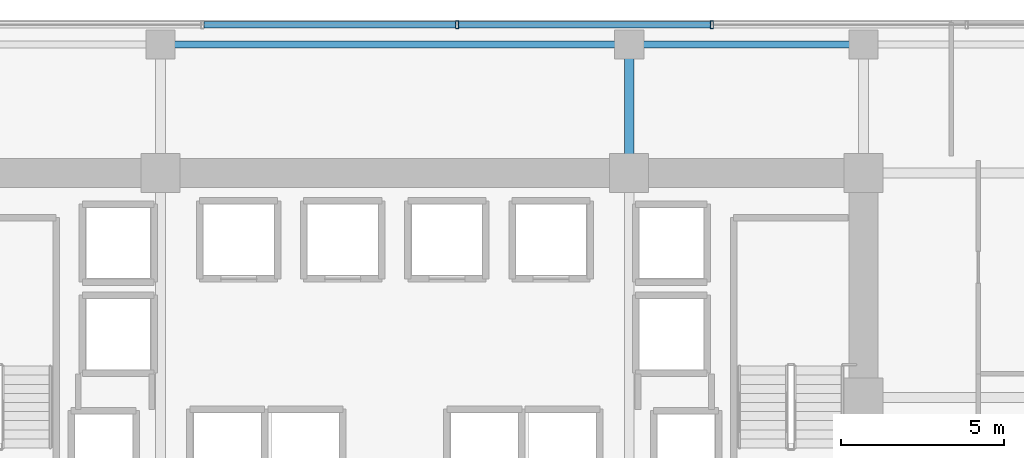
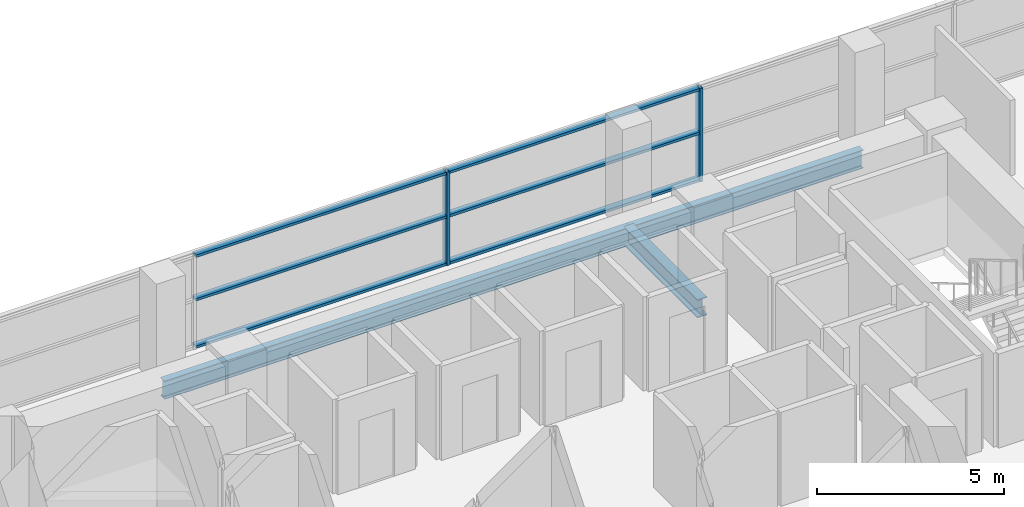
# One storey, part 19 of 30: 8 members, 3 beams, 1 element without a shape of its own.
"""IFC4 building model written with IfcOpenShell, lengths in metres."""

import ifcopenshell
import ifcopenshell.guid

model = None  # the IFC model being written
_history = None  # IfcOwnerHistory: only IFC2X3 demands one
_inside = {}  # id of a spatial element -> (the spatial element, [elements in it])
_under = {}  # id of a project, library or spatial element -> (it, [spatial elements below it])
_declared = {}  # id of a project -> (the project, [libraries it declares])
_typed = {}  # id of a type object -> (the type object, [elements of that type])
_made_of = {}  # id of a material, layer set ... -> (it, [elements and type objects made of it])


def new_model(schema):
    """Start an empty IFC model of exactly this schema.

    Asked for "IFC4X3", IfcOpenShell would pick the latest addendum, in which some entities
    have other attributes; the version numbers below select the first issue.
    IFC2X3 requires an IfcOwnerHistory on every rooted entity: one is made here for all.
    """
    global model, _history
    if schema == "IFC4X3":
        model = ifcopenshell.file(schema_version=(4, 3, 0, 0))
    else:
        model = ifcopenshell.file(schema=schema)
    _inside.clear()
    _under.clear()
    _declared.clear()
    _typed.clear()
    _made_of.clear()
    _history = None
    if model.schema == "IFC2X3":
        org = make("IfcOrganization", Name="unknown")
        user = make(
            "IfcPersonAndOrganization",
            ThePerson=make("IfcPerson", FamilyName="unknown"),
            TheOrganization=org,
        )
        app = make(
            "IfcApplication",
            ApplicationDeveloper=org,
            Version="unknown",
            ApplicationFullName="unknown",
            ApplicationIdentifier="unknown",
        )
        _history = make(
            "IfcOwnerHistory",
            OwningUser=user,
            OwningApplication=app,
            ChangeAction="ADDED",
            CreationDate=0,
        )
    return model


def make(cls, **values):
    """One entity of the class cls with the attributes given. An attribute that is None is left unset."""
    return model.create_entity(
        cls, **{name: value for name, value in values.items() if value is not None}
    )


def rooted(cls, **values):
    """An entity with a GlobalId (a new one), such as an element, a storey or a relation."""
    return make(cls, GlobalId=ifcopenshell.guid.new(), OwnerHistory=_history, **values)


def si_unit(unit_type, name, prefix=None):
    """IfcSIUnit, for example si_unit("LENGTHUNIT", "METRE", prefix="MILLI")."""
    return make("IfcSIUnit", UnitType=unit_type, Prefix=prefix, Name=name)


def assignment(units):
    """IfcUnitAssignment: the units of a project."""
    return None if units is None else make("IfcUnitAssignment", Units=units)


def point(xyz):
    """IfcCartesianPoint."""
    return None if xyz is None else make("IfcCartesianPoint", Coordinates=xyz)


def direction(xyz):
    """IfcDirection."""
    return None if xyz is None else make("IfcDirection", DirectionRatios=xyz)


def frame(location, z_axis=None, x_axis=None):
    """IfcAxis2Placement3D, a coordinate frame: its origin and axes. An axis left out is left unset."""
    return make(
        "IfcAxis2Placement3D",
        Location=point(location),
        Axis=direction(z_axis),
        RefDirection=direction(x_axis),
    )


def frame_2d(location, x_axis=None):
    """IfcAxis2Placement2D, a coordinate frame in the plane: its origin and x axis."""
    return make(
        "IfcAxis2Placement2D", Location=point(location), RefDirection=direction(x_axis)
    )


def origin():
    """The frame at (0, 0, 0) with its axes left unset."""
    return frame((0.0, 0.0, 0.0))


def origin_2d():
    """The frame at (0, 0) in the plane with its x axis left unset."""
    return frame_2d((0.0, 0.0))


def place(relative_to, where):
    """IfcLocalPlacement: puts the frame where relative to a parent placement (None: the world)."""
    return make(
        "IfcLocalPlacement", PlacementRelTo=relative_to, RelativePlacement=where
    )


def context(
    kind, dimensions, precision=None, world=None, true_north=None, identifier=None
):
    """IfcGeometricRepresentationContext, for example the 3D "Model" context."""
    return make(
        "IfcGeometricRepresentationContext",
        ContextIdentifier=identifier,
        ContextType=kind,
        CoordinateSpaceDimension=dimensions,
        Precision=precision,
        WorldCoordinateSystem=world,
        TrueNorth=true_north,
    )


def subcontext(parent, identifier, kind, view, scale=None):
    """IfcGeometricRepresentationSubContext, for example "Body" below "Model"."""
    return make(
        "IfcGeometricRepresentationSubContext",
        ContextIdentifier=identifier,
        ContextType=kind,
        ParentContext=parent,
        TargetScale=scale,
        TargetView=view,
    )


def project(units=None, contexts=None):
    """IfcProject with its units and contexts."""
    return rooted(
        "IfcProject",
        Name="project",
        RepresentationContexts=contexts,
        UnitsInContext=assignment(units),
    )


def spatial(cls, under=None, at=None, **own):
    """A site, building, storey or space (cls), placed at a placement, below another one or the project."""
    s = rooted(cls, ObjectPlacement=at, **own)
    if under is not None:
        _under.setdefault(under.id(), (under, []))[1].append(s)
    return s


def profile(cls, at=None, kind="AREA", **sizes):
    """A parametric profile (cls). Its sizes go by their IFC names, for example OverallWidth=200.0."""
    return make(cls, ProfileType=kind, Position=at, **sizes)


def hollow_rectangle(**sizes):
    """IfcRectangleHollowProfileDef."""
    return profile("IfcRectangleHollowProfileDef", **sizes)


def i_section(**sizes):
    """IfcIShapeProfileDef."""
    return profile("IfcIShapeProfileDef", **sizes)


def extrude(swept, where, along, depth):
    """IfcExtrudedAreaSolid: the profile swept, set in the frame where, extruded along a direction by depth."""
    return make(
        "IfcExtrudedAreaSolid",
        SweptArea=swept,
        Position=where,
        ExtrudedDirection=direction(along),
        Depth=depth,
    )


def shape(context_of_items, identifier, shape_type, items):
    """IfcShapeRepresentation: the items that make up one representation, for example the "Body"."""
    return make(
        "IfcShapeRepresentation",
        ContextOfItems=context_of_items,
        RepresentationIdentifier=identifier,
        RepresentationType=shape_type,
        Items=items,
    )


def source(mapping_origin, context_of_items, identifier, shape_type, items):
    """IfcRepresentationMap: a shape defined once, which mapped items show again and again."""
    return make(
        "IfcRepresentationMap",
        MappingOrigin=mapping_origin,
        MappedRepresentation=shape(context_of_items, identifier, shape_type, items),
    )


def transform(
    local_origin,
    x_axis=None,
    y_axis=None,
    z_axis=None,
    scale=None,
    scale2=None,
    scale3=None,
    uniform=True,
):
    """IfcCartesianTransformationOperator3D, or its non-uniform kind. x_axis, y_axis, z_axis: its Axis1, 2, 3."""
    if uniform:
        return make(
            "IfcCartesianTransformationOperator3D",
            Axis1=direction(x_axis),
            Axis2=direction(y_axis),
            LocalOrigin=point(local_origin),
            Scale=scale,
            Axis3=direction(z_axis),
        )
    return make(
        "IfcCartesianTransformationOperator3DnonUniform",
        Axis1=direction(x_axis),
        Axis2=direction(y_axis),
        LocalOrigin=point(local_origin),
        Scale=scale,
        Axis3=direction(z_axis),
        Scale2=scale2,
        Scale3=scale3,
    )


def mapped(mapping_source, mapping_target):
    """IfcMappedItem: shows the shape of a source again, moved by a transform."""
    return make(
        "IfcMappedItem", MappingSource=mapping_source, MappingTarget=mapping_target
    )


def material(Name=None, Category=None):
    """IfcMaterial."""
    return make("IfcMaterial", Name=Name, Category=Category)


def layer(
    of_material, thickness, ventilated=None, Name=None, Category=None, Priority=None
):
    """IfcMaterialLayer: one layer of a wall or slab, of a material (None: an air gap)."""
    return make(
        "IfcMaterialLayer",
        Material=of_material,
        LayerThickness=thickness,
        IsVentilated=ventilated,
        Name=Name,
        Category=Category,
        Priority=Priority,
    )


def layer_set(layers, Name=None):
    """IfcMaterialLayerSet."""
    return make("IfcMaterialLayerSet", MaterialLayers=layers, LayerSetName=Name)


def material_profile(
    of_material, cross_section, Name=None, Category=None, Priority=None
):
    """IfcMaterialProfile: a cross section and its material."""
    return make(
        "IfcMaterialProfile",
        Name=Name,
        Material=of_material,
        Profile=cross_section,
        Priority=Priority,
        Category=Category,
    )


def profile_set(profiles, Name=None, composite=None):
    """IfcMaterialProfileSet."""
    return make(
        "IfcMaterialProfileSet",
        Name=Name,
        MaterialProfiles=profiles,
        CompositeProfile=composite,
    )


def made_of(thing, what):
    """Note that an element or type object is made of a material, layer set ...; save() writes the relation."""
    if what is not None:
        _made_of.setdefault(what.id(), (what, []))[1].append(thing)
    return thing


def type_object(cls, material=None, **own):
    """A type object (cls), such as IfcWallType, which elements share."""
    return made_of(rooted(cls, **own), material)


def element(
    cls,
    number,
    at=None,
    inside=None,
    cuts=None,
    type_object=None,
    material=None,
    context=None,
    identifier="Body",
    shape_type=None,
    held_by="IfcProductDefinitionShape",
    body=None,
    shapes=None,
    **own,
):
    """One element of the class cls, such as IfcWall. Its Tag is "e" and its number.

    at: its placement. inside: the storey or other place that contains it. cuts: it is an
    opening in that element (IfcRelVoidsElement). A single representation is given by context,
    identifier, shape_type and body (its items); several are given by shapes. held_by: the class
    of the entity that holds the representations. save() writes the other relations.
    """
    e = rooted(cls, Tag="e%d" % number, ObjectPlacement=at, **own)
    if body is not None:
        shapes = [shape(context, identifier, shape_type, body)]
    if shapes is not None:
        e.Representation = make(held_by, Representations=shapes)
    if inside is not None:
        _inside.setdefault(inside.id(), (inside, []))[1].append(e)
    if cuts is not None:
        rooted(
            "IfcRelVoidsElement", RelatingBuildingElement=cuts, RelatedOpeningElement=e
        )
    if type_object is not None:
        _typed.setdefault(type_object.id(), (type_object, []))[1].append(e)
    return made_of(e, material)


def aggregate(whole, parts):
    """IfcRelAggregates: a whole, such as a stair, and the parts it consists of."""
    return rooted("IfcRelAggregates", RelatingObject=whole, RelatedObjects=parts)


def save(model, path):
    """Write the relations noted so far, then the file.

    IfcRelAggregates (storeys below a building ...), IfcRelContainedInSpatialStructure (elements
    in a storey), IfcRelDefinesByType, IfcRelAssociatesMaterial and IfcRelDeclares: one each for
    every whole, place, type object, material and project.
    """
    for whole, parts in _under.values():
        aggregate(whole, parts)
    for where, things in _inside.values():
        rooted(
            "IfcRelContainedInSpatialStructure",
            RelatedElements=things,
            RelatingStructure=where,
        )
    for kind, things in _typed.values():
        rooted("IfcRelDefinesByType", RelatedObjects=things, RelatingType=kind)
    for what, things in _made_of.values():
        rooted("IfcRelAssociatesMaterial", RelatedObjects=things, RelatingMaterial=what)
    for by, libraries in _declared.values():
        rooted("IfcRelDeclares", RelatingContext=by, RelatedDefinitions=libraries)
    model.write(path)


model = new_model("IFC4")

# Units and contexts
model_context = context("Model", 3, precision=1e-05, world=origin(), true_north=direction((0.0, 1.0)))
body_context = subcontext(model_context, "Body", "Model", "MODEL_VIEW")
ifc_project = project(units=[si_unit("LENGTHUNIT", "METRE"), si_unit("AREAUNIT", "SQUARE_METRE"), si_unit("VOLUMEUNIT", "CUBIC_METRE"), si_unit("PLANEANGLEUNIT", "RADIAN"), si_unit("MASSUNIT", "GRAM", prefix="KILO")], contexts=[model_context])

# Site, building, storey
site_placement = place(None, origin())
site = spatial("IfcSite", under=ifc_project, at=site_placement, CompositionType="ELEMENT")
building_placement = place(site_placement, origin())
building = spatial("IfcBuilding", under=site, at=building_placement, Name="Zarnakvel Exchange Tower", CompositionType="ELEMENT")
storey_placement = place(building_placement, frame((0.0, 0.0, 40.60009765625)))
storey = spatial("IfcBuildingStorey", under=building, at=storey_placement, Name="L10", CompositionType="ELEMENT", Elevation=40.60009765625)

# Beams
ifc_material_1 = material(Name="Steel S355", Category="steel")
ifc_material_profile_1 = material_profile(ifc_material_1, i_section(OverallWidth=0.300048828125, OverallDepth=0.60009765625, WebThickness=0.015380859375, FlangeThickness=0.030029296875, FilletRadius=0.027099609375, at=origin_2d()))
ifc_profile_set_1 = profile_set([ifc_material_profile_1], Name="Steel S355")
beam_type_1 = type_object("IfcBeamType", Name="G-04", PredefinedType="BEAM", material=ifc_profile_set_1)
beam_1_placement = place(storey_placement, frame((7.199951171875, 13.5, -0.525146484375), z_axis=(0.0, 1.0, 0.0), x_axis=(-1.0, 0.0, 0.0)))
element("IfcBeam", 1, at=beam_1_placement, inside=storey, type_object=beam_type_1, Name="L10 Tower N-S Frame Beam", PredefinedType="BEAM", context=body_context, shape_type="SweptSolid", body=[
    extrude(i_section(OverallWidth=0.300048828125, OverallDepth=0.60009765625, WebThickness=0.015380859375, FlangeThickness=0.030029296875, FilletRadius=0.027099609375, at=origin_2d()), origin(), (0.0, 0.0, 1.0), 3.949951171875),
])
ifc_material_profile_2 = material_profile(ifc_material_1, i_section(OverallWidth=0.219970703125, OverallDepth=0.60009765625, WebThickness=0.011962890625, FlangeThickness=0.01904296875, FilletRadius=0.02392578125, at=origin_2d()))
ifc_profile_set_2 = profile_set([ifc_material_profile_2], Name="Steel S355")
beam_type_2 = type_object("IfcBeamType", Name="SP-01", PredefinedType="SPANDREL", material=ifc_profile_set_2)
beam_2_placement = place(storey_placement, frame((-7.199951171875, 17.449951171875, -0.525146484375), z_axis=(1.0, 0.0, 0.0), x_axis=(0.0, 1.0, 0.0)))
element("IfcBeam", 2, at=beam_2_placement, inside=storey, type_object=beam_type_2, Name="L10 Tower E-W Frame Beam", PredefinedType="SPANDREL", context=body_context, shape_type="SweptSolid", body=[
    extrude(i_section(OverallWidth=0.219970703125, OverallDepth=0.60009765625, WebThickness=0.011962890625, FlangeThickness=0.01904296875, FilletRadius=0.02392578125, at=origin_2d()), origin(), (0.0, 0.0, 1.0), 14.39990234375),
])
beam_3_placement = place(storey_placement, frame((7.199951171875, 17.449951171875, -0.525146484375), z_axis=(1.0, 0.0, 0.0), x_axis=(0.0, 1.0, 0.0)))
element("IfcBeam", 3, at=beam_3_placement, inside=storey, type_object=beam_type_2, Name="L10 Tower E-W Frame Beam", PredefinedType="SPANDREL", context=body_context, shape_type="SweptSolid", body=[
    extrude(i_section(OverallWidth=0.219970703125, OverallDepth=0.60009765625, WebThickness=0.011962890625, FlangeThickness=0.01904296875, FilletRadius=0.02392578125, at=origin_2d()), origin(), (0.0, 0.0, 1.0), 7.199951171875),
])

# Curtain wall, members
ifc_material_2 = material(Name="Architectural Bronze Anodised Aluminium", Category="aluminium")
ifc_layer = layer(ifc_material_2, 0.239990234375)
ifc_layer_set = layer_set([ifc_layer], Name="Architectural Bronze Anodised Aluminium")
curtain_wall_type = type_object("IfcCurtainWallType", Name="CW-02", PredefinedType="NOTDEFINED", material=ifc_layer_set)
curtain_wall_placement = place(storey_placement, origin())
curtain_wall = element("IfcCurtainWall", 4, at=curtain_wall_placement, inside=storey, type_object=curtain_wall_type, Name="L10 Curtain Wall CW-L10-N1 (CW-02)", PredefinedType="NOTDEFINED")
ifc_material_profile_3 = material_profile(ifc_material_2, hollow_rectangle(XDim=0.199951171875, YDim=0.0849609375, WallThickness=0.0048828125, at=origin_2d()))
ifc_profile_set_3 = profile_set([ifc_material_profile_3], Name="Architectural Bronze Anodised Aluminium")
member_type_1 = type_object("IfcMemberType", Name="CWT-02", PredefinedType="USERDEFINED", material=ifc_profile_set_3)
shared_shape_1 = source(origin(), body_context, "Body", "SweptSolid", [
    extrude(hollow_rectangle(XDim=0.199951171875, YDim=0.0849609375, WallThickness=0.0048828125, at=origin_2d()), origin(), (0.0, 0.0, 1.0), 7.738525390625),
])
member_1_placement = place(storey_placement, frame((1.959228515625, 18.06005859375, 0.04248046875), z_axis=(1.0, 0.0, 0.0), x_axis=(0.0, 1.0, 0.0)))
member_1 = element("IfcMember", 5, at=member_1_placement, type_object=member_type_1, Name="CW-02 transom 5.1", ObjectType="TRANSOM", PredefinedType="USERDEFINED", context=body_context, shape_type="MappedRepresentation", body=[
    mapped(shared_shape_1, transform((0.0, 0.0, 0.0), x_axis=(1.0, 0.0, 0.0), y_axis=(0.0, 1.0, 0.0), z_axis=(0.0, 0.0, 1.0), scale=1.0)),
])
member_2_placement = place(storey_placement, frame((1.959228515625, 18.06005859375, 1.588623046875), z_axis=(1.0, 0.0, 0.0), x_axis=(0.0, 1.0, 0.0)))
member_2 = element("IfcMember", 6, at=member_2_placement, type_object=member_type_1, Name="CW-02 transom 5.2", ObjectType="TRANSOM", PredefinedType="USERDEFINED", context=body_context, shape_type="MappedRepresentation", body=[
    mapped(shared_shape_1, transform((0.0, 0.0, 0.0), x_axis=(1.0, 0.0, 0.0), y_axis=(0.0, 1.0, 0.0), z_axis=(0.0, 0.0, 1.0), scale=1.0)),
])
member_3_placement = place(storey_placement, frame((1.959228515625, 18.06005859375, 3.012451171875), z_axis=(1.0, 0.0, 0.0), x_axis=(0.0, 1.0, 0.0)))
member_3 = element("IfcMember", 7, at=member_3_placement, type_object=member_type_1, Name="CW-02 transom 5.3", ObjectType="TRANSOM", PredefinedType="USERDEFINED", context=body_context, shape_type="MappedRepresentation", body=[
    mapped(shared_shape_1, transform((0.0, 0.0, 0.0), x_axis=(1.0, 0.0, 0.0), y_axis=(0.0, 1.0, 0.0), z_axis=(0.0, 0.0, 1.0), scale=1.0)),
])
shared_shape_2 = source(origin(), body_context, "Body", "SweptSolid", [
    extrude(hollow_rectangle(XDim=0.199951171875, YDim=0.0849609375, WallThickness=0.0048828125, at=origin_2d()), origin(), (0.0, 0.0, 1.0), 7.73876953125),
])
member_4_placement = place(storey_placement, frame((-5.869384765625, 18.06005859375, 0.04248046875), z_axis=(1.0, 0.0, 0.0), x_axis=(0.0, 1.0, 0.0)))
member_4 = element("IfcMember", 8, at=member_4_placement, type_object=member_type_1, Name="CW-02 transom 4.1", ObjectType="TRANSOM", PredefinedType="USERDEFINED", context=body_context, shape_type="MappedRepresentation", body=[
    mapped(shared_shape_2, transform((0.0, 0.0, 0.0), x_axis=(1.0, 0.0, 0.0), y_axis=(0.0, 1.0, 0.0), z_axis=(0.0, 0.0, 1.0), scale=1.0)),
])
member_5_placement = place(storey_placement, frame((-5.869384765625, 18.06005859375, 1.588623046875), z_axis=(1.0, 0.0, 0.0), x_axis=(0.0, 1.0, 0.0)))
member_5 = element("IfcMember", 9, at=member_5_placement, type_object=member_type_1, Name="CW-02 transom 4.2", ObjectType="TRANSOM", PredefinedType="USERDEFINED", context=body_context, shape_type="MappedRepresentation", body=[
    mapped(shared_shape_2, transform((0.0, 0.0, 0.0), x_axis=(1.0, 0.0, 0.0), y_axis=(0.0, 1.0, 0.0), z_axis=(0.0, 0.0, 1.0), scale=1.0)),
])
member_6_placement = place(storey_placement, frame((-5.869384765625, 18.06005859375, 3.012451171875), z_axis=(1.0, 0.0, 0.0), x_axis=(0.0, 1.0, 0.0)))
member_6 = element("IfcMember", 10, at=member_6_placement, type_object=member_type_1, Name="CW-02 transom 4.3", ObjectType="TRANSOM", PredefinedType="USERDEFINED", context=body_context, shape_type="MappedRepresentation", body=[
    mapped(shared_shape_2, transform((0.0, 0.0, 0.0), x_axis=(1.0, 0.0, 0.0), y_axis=(0.0, 1.0, 0.0), z_axis=(0.0, 0.0, 1.0), scale=1.0)),
])
ifc_material_profile_4 = material_profile(ifc_material_2, hollow_rectangle(XDim=0.239990234375, YDim=0.090087890625, WallThickness=0.006103515625, at=origin_2d()))
ifc_profile_set_4 = profile_set([ifc_material_profile_4], Name="Architectural Bronze Anodised Aluminium")
member_type_2 = type_object("IfcMemberType", Name="CWM-02", PredefinedType="MULLION", material=ifc_profile_set_4)
shared_shape_3 = source(origin(), body_context, "Body", "SweptSolid", [
    extrude(hollow_rectangle(XDim=0.239990234375, YDim=0.090087890625, WallThickness=0.006103515625, at=origin_2d()), origin(), (0.0, 0.0, 1.0), 3.054931640625),
])
member_7_placement = place(storey_placement, frame((1.914306640625, 18.06005859375, 0.0), z_axis=(0.0, 0.0, 1.0), x_axis=(0.0, 1.0, 0.0)))
member_7 = element("IfcMember", 11, at=member_7_placement, type_object=member_type_2, Name="CW-02 mullion 5", PredefinedType="MULLION", context=body_context, shape_type="MappedRepresentation", body=[
    mapped(shared_shape_3, transform((0.0, 0.0, 0.0), x_axis=(1.0, 0.0, 0.0), y_axis=(0.0, 1.0, 0.0), z_axis=(0.0, 0.0, 1.0), scale=1.0)),
])
member_8_placement = place(storey_placement, frame((9.742919921875, 18.06005859375, 0.0), z_axis=(0.0, 0.0, 1.0), x_axis=(0.0, 1.0, 0.0)))
member_8 = element("IfcMember", 12, at=member_8_placement, type_object=member_type_2, Name="CW-02 mullion 6", PredefinedType="MULLION", context=body_context, shape_type="MappedRepresentation", body=[
    mapped(shared_shape_3, transform((0.0, 0.0, 0.0), x_axis=(1.0, 0.0, 0.0), y_axis=(0.0, 1.0, 0.0), z_axis=(0.0, 0.0, 1.0), scale=1.0)),
])
aggregate(curtain_wall, [member_7, member_8, member_4, member_5, member_6, member_1, member_2, member_3])

save(model, "model.ifc")
